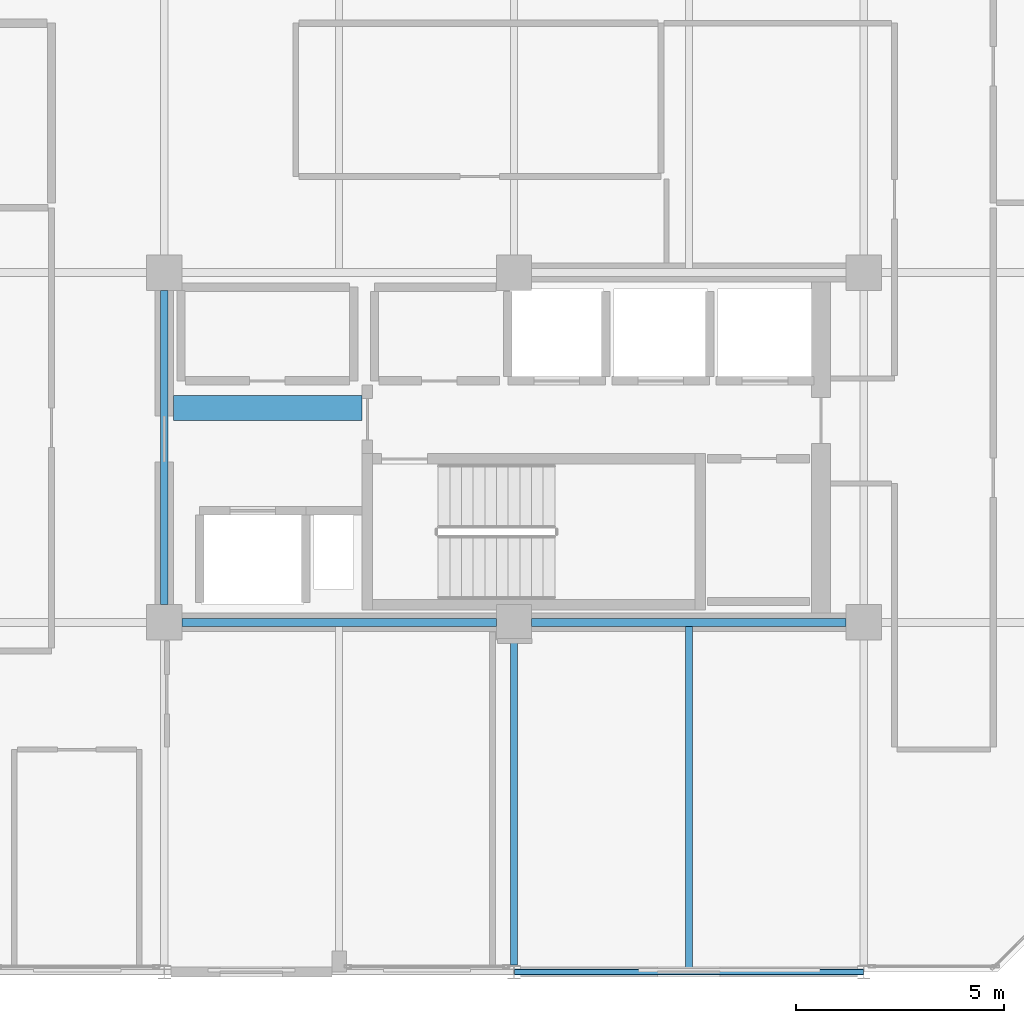
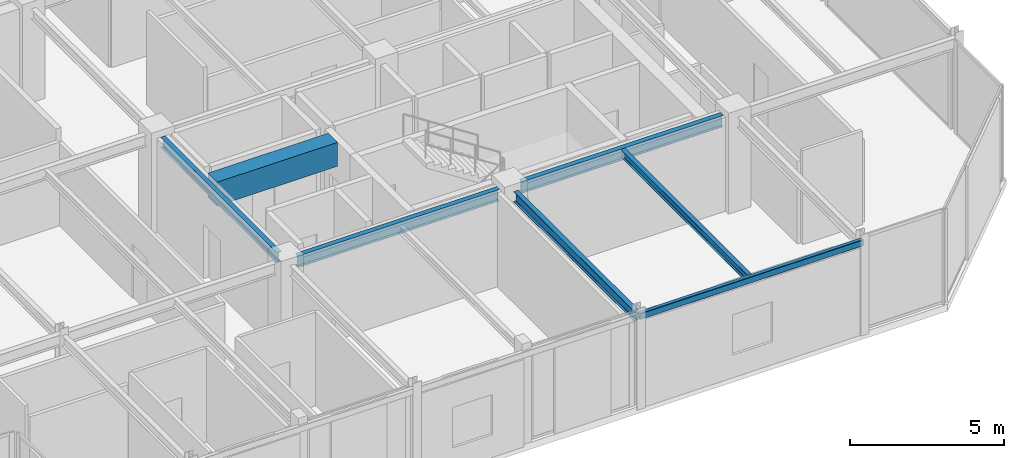
# One storey, part 8 of 26: 7 beams.
"""IFC4 building model written with IfcOpenShell, lengths in metres."""

from ifc_helpers import new_model, si_unit, direction, frame, origin, origin_2d, place, context, subcontext, project, spatial, rectangle, hollow_rectangle, i_section, extrude, material, material_profile, profile_set, type_object, element, save


model = new_model("IFC4")

# Units and contexts
model_context = context("Model", 3, precision=1e-05, world=origin(), true_north=direction((0.0, 1.0)))
body_context = subcontext(model_context, "Body", "Model", "MODEL_VIEW")
ifc_project = project(units=[si_unit("LENGTHUNIT", "METRE"), si_unit("AREAUNIT", "SQUARE_METRE"), si_unit("VOLUMEUNIT", "CUBIC_METRE"), si_unit("PLANEANGLEUNIT", "RADIAN"), si_unit("MASSUNIT", "GRAM", prefix="KILO")], contexts=[model_context])

# Site, building, storey
site_placement = place(None, origin())
site = spatial("IfcSite", under=ifc_project, at=site_placement, CompositionType="ELEMENT")
building_placement = place(site_placement, origin())
building = spatial("IfcBuilding", under=site, at=building_placement, Name="Nerrivon Quay Data Exchange", CompositionType="ELEMENT")
storey_placement = place(building_placement, frame((0.0, 0.0, 258.199951171875)))
storey = spatial("IfcBuildingStorey", under=building, at=storey_placement, Name="L61", CompositionType="ELEMENT", Elevation=258.199951171875)

# Beams
ifc_material_1 = material(Name="Concrete N50 (50 MPa)", Category="concrete")
ifc_material_profile_1 = material_profile(ifc_material_1, rectangle(XDim=0.60009765625, YDim=0.949951171875, at=origin_2d()), Name="RC-CB-600x950")
ifc_profile_set_1 = profile_set([ifc_material_profile_1], Name="Concrete N50 (50 MPa)")
beam_type_1 = type_object("IfcBeamType", Name="BM-CB2-600x950", PredefinedType="LINTEL", material=ifc_profile_set_1)
beam_1_placement = place(storey_placement, frame((17.02490234375, 13.550048828125, 3.25), z_axis=(1.0, 0.0, 0.0), x_axis=(0.0, 1.0, 0.0)))
element("IfcBeam", 1, at=beam_1_placement, inside=storey, type_object=beam_type_1, Name="L61 East Core Coupling Beam", PredefinedType="LINTEL", context=body_context, shape_type="SweptSolid", body=[
    extrude(rectangle(XDim=0.60009765625, YDim=0.949951171875, at=origin_2d()), origin(), (0.0, 0.0, 1.0), 4.530029296875),
])
ifc_material_2 = material(Name="Steel Grade 350", Category="steel")
ifc_material_profile_2 = material_profile(ifc_material_2, i_section(OverallWidth=0.18994140625, OverallDepth=0.4541015625, WebThickness=0.008544921875, FlangeThickness=0.0126953125, FilletRadius=0.011474609375, at=origin_2d()), Name="460UB67.1")
ifc_profile_set_2 = profile_set([ifc_material_profile_2], Name="Steel Grade 350")
beam_type_2 = type_object("IfcBeamType", Name="BM-G6-460UB67", PredefinedType="BEAM", material=ifc_profile_set_2)
beam_2_placement = place(storey_placement, frame((17.22509765625, 8.39990234375, 3.498046875), z_axis=(1.0, 0.0, 0.0), x_axis=(0.0, 1.0, 0.0)))
element("IfcBeam", 2, at=beam_2_placement, inside=storey, type_object=beam_type_2, Name="L61 EW Girder Y=8.4 (16.8..25.2)", PredefinedType="BEAM", context=body_context, shape_type="SweptSolid", body=[
    extrude(i_section(OverallWidth=0.18994140625, OverallDepth=0.4541015625, WebThickness=0.008544921875, FlangeThickness=0.0126953125, FilletRadius=0.011474609375, at=origin_2d()), origin(), (0.0, 0.0, 1.0), 7.5498046875),
])
beam_3_placement = place(storey_placement, frame((25.625, 8.39990234375, 3.498046875), z_axis=(1.0, 0.0, 0.0), x_axis=(0.0, 1.0, 0.0)))
element("IfcBeam", 3, at=beam_3_placement, inside=storey, type_object=beam_type_2, Name="L61 EW Girder Y=8.4 (25.2..33.6)", PredefinedType="BEAM", context=body_context, shape_type="SweptSolid", body=[
    extrude(i_section(OverallWidth=0.18994140625, OverallDepth=0.4541015625, WebThickness=0.008544921875, FlangeThickness=0.0126953125, FilletRadius=0.011474609375, at=origin_2d()), origin(), (0.0, 0.0, 1.0), 7.550048828125),
])
ifc_material_profile_3 = material_profile(ifc_material_2, i_section(OverallWidth=0.177978515625, OverallDepth=0.406005859375, WebThickness=0.0078125, FlangeThickness=0.0126953125, FilletRadius=0.011474609375, at=origin_2d()), Name="410UB59.7")
ifc_profile_set_3 = profile_set([ifc_material_profile_3], Name="Steel Grade 350")
beam_type_3 = type_object("IfcBeamType", Name="BM-J1-410UB60", PredefinedType="JOIST", material=ifc_profile_set_3)
beam_4_placement = place(storey_placement, frame((16.800048828125, 8.824951171875, 3.52197265625), z_axis=(0.0, 1.0, 0.0), x_axis=(-1.0, 0.0, 0.0)))
element("IfcBeam", 4, at=beam_4_placement, inside=storey, type_object=beam_type_3, Name="L61 NS Girder X=16.8 (8.4..16.8)", PredefinedType="JOIST", context=body_context, shape_type="SweptSolid", body=[
    extrude(i_section(OverallWidth=0.177978515625, OverallDepth=0.406005859375, WebThickness=0.0078125, FlangeThickness=0.0126953125, FilletRadius=0.011474609375, at=origin_2d()), origin(), (0.0, 0.0, 1.0), 7.550048828125),
])
beam_5_placement = place(storey_placement, frame((25.199951171875, 0.16357421875, 3.52197265625), z_axis=(0.0, 1.0, 0.0), x_axis=(-1.0, 0.0, 0.0)))
element("IfcBeam", 5, at=beam_5_placement, inside=storey, type_object=beam_type_3, Name="L61 NS Girder X=25.2 (0.0..8.4)", PredefinedType="JOIST", context=body_context, shape_type="SweptSolid", body=[
    extrude(i_section(OverallWidth=0.177978515625, OverallDepth=0.406005859375, WebThickness=0.0078125, FlangeThickness=0.0126953125, FilletRadius=0.011474609375, at=origin_2d()), origin(), (0.0, 0.0, 1.0), 7.8115234375),
])
ifc_material_profile_4 = material_profile(ifc_material_2, i_section(OverallWidth=0.1650390625, OverallDepth=0.303955078125, WebThickness=0.006103515625, FlangeThickness=0.01025390625, FilletRadius=0.011474609375, at=origin_2d()), Name="310UB40.4")
ifc_profile_set_4 = profile_set([ifc_material_profile_4], Name="Steel Grade 350")
beam_type_4 = type_object("IfcBeamType", Name="BM-J6-310UB40", PredefinedType="JOIST", material=ifc_profile_set_4)
beam_6_placement = place(storey_placement, frame((29.39990234375, 0.074951171875, 3.572998046875), z_axis=(0.0, 1.0, 0.0), x_axis=(-1.0, 0.0, 0.0)))
element("IfcBeam", 6, at=beam_6_placement, inside=storey, type_object=beam_type_4, Name="L61 Secondary Joist X=29.4 (0.0..8.4)", PredefinedType="JOIST", context=body_context, shape_type="SweptSolid", body=[
    extrude(i_section(OverallWidth=0.1650390625, OverallDepth=0.303955078125, WebThickness=0.006103515625, FlangeThickness=0.01025390625, FilletRadius=0.011474609375, at=origin_2d()), origin(), (0.0, 0.0, 1.0), 8.22998046875),
])
ifc_material_3 = material(Name="Steel Grade C350L0 (350 MPa)", Category="steel")
ifc_material_profile_5 = material_profile(ifc_material_3, hollow_rectangle(XDim=0.14990234375, YDim=0.25, WallThickness=0.009033203125, InnerFilletRadius=0.013427734375, OuterFilletRadius=0.0224609375, at=origin_2d()), Name="250x150x9.0RHS")
ifc_profile_set_5 = profile_set([ifc_material_profile_5], Name="Steel Grade C350L0 (350 MPa)")
beam_type_5 = type_object("IfcBeamType", Name="BM-SP4-250x150RHS", PredefinedType="SPANDREL", material=ifc_profile_set_5)
beam_7_placement = place(storey_placement, frame((25.2080078125, 0.0, 3.60009765625), z_axis=(1.0, 0.0, 0.0), x_axis=(0.0, 1.0, 0.0)))
element("IfcBeam", 7, at=beam_7_placement, inside=storey, type_object=beam_type_5, Name="L61 EW Girder Y=0.0 (25.2..33.6)", PredefinedType="SPANDREL", context=body_context, shape_type="SweptSolid", body=[
    extrude(hollow_rectangle(XDim=0.14990234375, YDim=0.25, WallThickness=0.009033203125, InnerFilletRadius=0.013427734375, OuterFilletRadius=0.0224609375, at=origin_2d()), origin(), (0.0, 0.0, 1.0), 8.38427734375),
])

save(model, "model.ifc")
